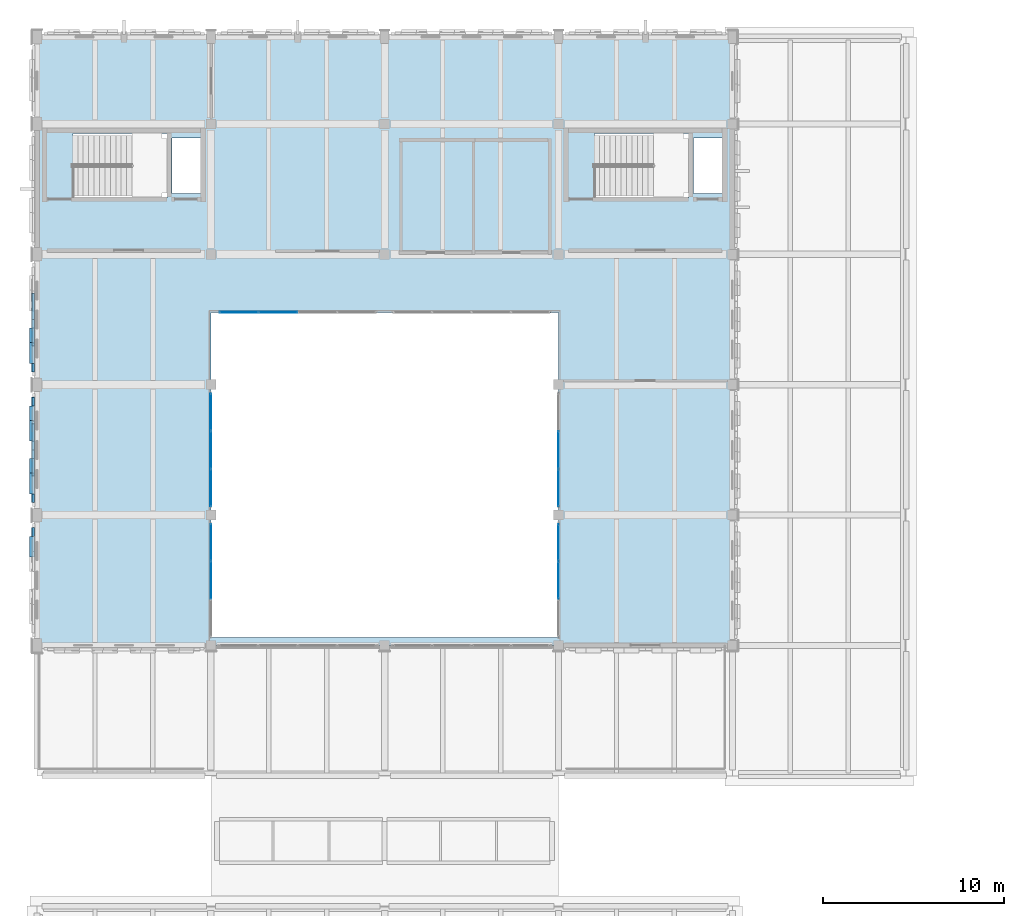
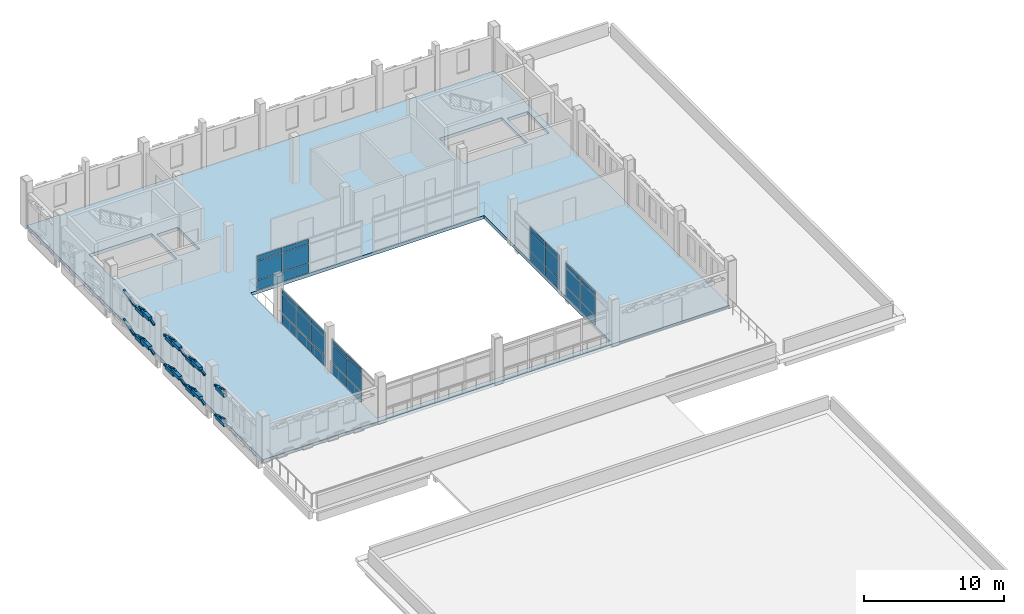
# One storey, part 29 of 50: 63 plates, 1 slab, 5 elements without a shape of their own.
"""IFC4 building model written with IfcOpenShell, lengths in metres."""

from ifc_helpers import new_model, si_unit, direction, frame, origin, origin_2d, place, context, subcontext, project, spatial, polyline, rectangle, hollow_rectangle, outline, extrude, material, layer, layer_set, material_profile, profile_set, type_object, element, aggregate, save


model = new_model("IFC4")

# Units and contexts
model_context = context("Model", 3, precision=1e-05, world=origin(), true_north=direction((0.0, 1.0)))
body_context = subcontext(model_context, "Body", "Model", "MODEL_VIEW")
ifc_project = project(units=[si_unit("LENGTHUNIT", "METRE"), si_unit("AREAUNIT", "SQUARE_METRE"), si_unit("VOLUMEUNIT", "CUBIC_METRE"), si_unit("PLANEANGLEUNIT", "RADIAN"), si_unit("MASSUNIT", "GRAM", prefix="KILO")], contexts=[model_context])

# Site, building, storey
site_placement = place(None, origin())
site = spatial("IfcSite", under=ifc_project, at=site_placement, CompositionType="ELEMENT")
building_placement = place(site_placement, origin())
building = spatial("IfcBuilding", under=site, at=building_placement, Name="Asteropetra Specialist Clinic", CompositionType="ELEMENT")
storey_placement = place(building_placement, frame((0.0, 0.0, 16.659912109375)))
storey = spatial("IfcBuildingStorey", under=building, at=storey_placement, Name="L04", CompositionType="ELEMENT", Elevation=16.659912109375)

# Plates
ifc_material_1 = material(Name="Chevron emerald aluminium 6063-T6", Category="aluminium")
ifc_material_profile = material_profile(ifc_material_1, hollow_rectangle(XDim=0.159912109375, YDim=0.159912109375, WallThickness=0.008056640625, InnerFilletRadius=0.008056640625, OuterFilletRadius=0.01611328125, at=origin_2d()), Name="SHS 160x160x8.0")
ifc_profile_set = profile_set([ifc_material_profile], Name="Chevron emerald aluminium 6063-T6")
plate_type_1 = type_object("IfcPlateType", Name="CHV-RIB-160", PredefinedType="SHEET", material=ifc_profile_set)
plate_1_placement = place(storey_placement, frame((-0.217041015625, 83.284912109375, 0.050048828125), z_axis=(0.0, -0.952491984317, 0.304563654777), x_axis=(1.0, 0.0, 0.0)))
element("IfcPlate", 1, at=plate_1_placement, inside=storey, type_object=plate_type_1, Name="Chevron Facade Screen Fin CVR-1549", PredefinedType="SHEET", context=body_context, shape_type="SweptSolid", body=[
    extrude(hollow_rectangle(XDim=0.159912109375, YDim=0.159912109375, WallThickness=0.008056640625, InnerFilletRadius=0.008056640625, OuterFilletRadius=0.01611328125, at=origin_2d()), origin(), (0.0, 0.0, 1.0), 1.50390625),
])
plate_2_placement = place(storey_placement, frame((-0.217041015625, 83.284912109375, 2.64013671875), z_axis=(0.0, -0.964892743856, 0.262644232476), x_axis=(1.0, 0.0, 0.0)))
element("IfcPlate", 2, at=plate_2_placement, inside=storey, type_object=plate_type_1, Name="Chevron Facade Screen Fin CVR-1551", PredefinedType="SHEET", context=body_context, shape_type="SweptSolid", body=[
    extrude(hollow_rectangle(XDim=0.159912109375, YDim=0.159912109375, WallThickness=0.008056640625, InnerFilletRadius=0.008056640625, OuterFilletRadius=0.01611328125, at=origin_2d()), origin(), (0.0, 0.0, 1.0), 1.484375),
])
plate_3_placement = place(storey_placement, frame((-0.217041015625, 90.485107421875, 0.050048828125), z_axis=(0.0, -0.952507040007, 0.304516565619), x_axis=(1.0, 0.0, 0.0)))
element("IfcPlate", 3, at=plate_3_placement, inside=storey, type_object=plate_type_1, Name="Chevron Facade Screen Fin CVR-1569", PredefinedType="SHEET", context=body_context, shape_type="SweptSolid", body=[
    extrude(hollow_rectangle(XDim=0.159912109375, YDim=0.159912109375, WallThickness=0.008056640625, InnerFilletRadius=0.008056640625, OuterFilletRadius=0.01611328125, at=origin_2d()), origin(), (0.0, 0.0, 1.0), 1.504150390625),
])
plate_4_placement = place(storey_placement, frame((-0.217041015625, 89.052490234375, 0.508056640625), z_axis=(0.0, -0.952491984317, -0.304563654777), x_axis=(1.0, 0.0, 0.0)))
element("IfcPlate", 4, at=plate_4_placement, inside=storey, type_object=plate_type_1, Name="Chevron Facade Screen Fin CVR-1570", PredefinedType="SHEET", context=body_context, shape_type="SweptSolid", body=[
    extrude(hollow_rectangle(XDim=0.159912109375, YDim=0.159912109375, WallThickness=0.008056640625, InnerFilletRadius=0.008056640625, OuterFilletRadius=0.01611328125, at=origin_2d()), origin(), (0.0, 0.0, 1.0), 1.50390625),
])
plate_5_placement = place(storey_placement, frame((-0.217041015625, 90.485107421875, 2.64013671875), z_axis=(0.0, -0.964904086005, 0.262602560557), x_axis=(1.0, 0.0, 0.0)))
element("IfcPlate", 5, at=plate_5_placement, inside=storey, type_object=plate_type_1, Name="Chevron Facade Screen Fin CVR-1571", PredefinedType="SHEET", context=body_context, shape_type="SweptSolid", body=[
    extrude(hollow_rectangle(XDim=0.159912109375, YDim=0.159912109375, WallThickness=0.008056640625, InnerFilletRadius=0.008056640625, OuterFilletRadius=0.01611328125, at=origin_2d()), origin(), (0.0, 0.0, 1.0), 1.484619140625),
])
plate_6_placement = place(storey_placement, frame((-0.217041015625, 89.052490234375, 3.030029296875), z_axis=(0.0, -0.964892743856, -0.262644232476), x_axis=(1.0, 0.0, 0.0)))
element("IfcPlate", 6, at=plate_6_placement, inside=storey, type_object=plate_type_1, Name="Chevron Facade Screen Fin CVR-1572", PredefinedType="SHEET", context=body_context, shape_type="SweptSolid", body=[
    extrude(hollow_rectangle(XDim=0.159912109375, YDim=0.159912109375, WallThickness=0.008056640625, InnerFilletRadius=0.008056640625, OuterFilletRadius=0.01611328125, at=origin_2d()), origin(), (0.0, 0.0, 1.0), 1.484375),
])
plate_7_placement = place(storey_placement, frame((-0.217041015625, 87.580078125, 0.050048828125), z_axis=(0.0, -0.952507040007, 0.304516565619), x_axis=(1.0, 0.0, 0.0)))
element("IfcPlate", 7, at=plate_7_placement, inside=storey, type_object=plate_type_1, Name="Chevron Facade Screen Fin CVR-1573", PredefinedType="SHEET", context=body_context, shape_type="SweptSolid", body=[
    extrude(hollow_rectangle(XDim=0.159912109375, YDim=0.159912109375, WallThickness=0.008056640625, InnerFilletRadius=0.008056640625, OuterFilletRadius=0.01611328125, at=origin_2d()), origin(), (0.0, 0.0, 1.0), 1.504150390625),
])
plate_8_placement = place(storey_placement, frame((-0.217041015625, 86.1474609375, 0.508056640625), z_axis=(0.0, -0.952491984317, -0.304563654777), x_axis=(1.0, 0.0, 0.0)))
element("IfcPlate", 8, at=plate_8_placement, inside=storey, type_object=plate_type_1, Name="Chevron Facade Screen Fin CVR-1574", PredefinedType="SHEET", context=body_context, shape_type="SweptSolid", body=[
    extrude(hollow_rectangle(XDim=0.159912109375, YDim=0.159912109375, WallThickness=0.008056640625, InnerFilletRadius=0.008056640625, OuterFilletRadius=0.01611328125, at=origin_2d()), origin(), (0.0, 0.0, 1.0), 1.50390625),
])
plate_9_placement = place(storey_placement, frame((-0.217041015625, 87.580078125, 2.64013671875), z_axis=(0.0, -0.964904086005, 0.262602560557), x_axis=(1.0, 0.0, 0.0)))
element("IfcPlate", 9, at=plate_9_placement, inside=storey, type_object=plate_type_1, Name="Chevron Facade Screen Fin CVR-1575", PredefinedType="SHEET", context=body_context, shape_type="SweptSolid", body=[
    extrude(hollow_rectangle(XDim=0.159912109375, YDim=0.159912109375, WallThickness=0.008056640625, InnerFilletRadius=0.008056640625, OuterFilletRadius=0.01611328125, at=origin_2d()), origin(), (0.0, 0.0, 1.0), 1.484619140625),
])
plate_10_placement = place(storey_placement, frame((-0.217041015625, 86.1474609375, 3.030029296875), z_axis=(0.0, -0.964892743856, -0.262644232476), x_axis=(1.0, 0.0, 0.0)))
element("IfcPlate", 10, at=plate_10_placement, inside=storey, type_object=plate_type_1, Name="Chevron Facade Screen Fin CVR-1576", PredefinedType="SHEET", context=body_context, shape_type="SweptSolid", body=[
    extrude(hollow_rectangle(XDim=0.159912109375, YDim=0.159912109375, WallThickness=0.008056640625, InnerFilletRadius=0.008056640625, OuterFilletRadius=0.01611328125, at=origin_2d()), origin(), (0.0, 0.0, 1.0), 1.484375),
])
plate_11_placement = place(storey_placement, frame((-0.217041015625, 96.25244140625, 0.508056640625), z_axis=(0.0, -0.952491984317, -0.304563654777), x_axis=(1.0, 0.0, 0.0)))
element("IfcPlate", 11, at=plate_11_placement, inside=storey, type_object=plate_type_1, Name="Chevron Facade Screen Fin CVR-1590", PredefinedType="SHEET", context=body_context, shape_type="SweptSolid", body=[
    extrude(hollow_rectangle(XDim=0.159912109375, YDim=0.159912109375, WallThickness=0.008056640625, InnerFilletRadius=0.008056640625, OuterFilletRadius=0.01611328125, at=origin_2d()), origin(), (0.0, 0.0, 1.0), 1.50390625),
])
plate_12_placement = place(storey_placement, frame((-0.217041015625, 96.25244140625, 3.030029296875), z_axis=(0.0, -0.964892743856, -0.262644232476), x_axis=(1.0, 0.0, 0.0)))
element("IfcPlate", 12, at=plate_12_placement, inside=storey, type_object=plate_type_1, Name="Chevron Facade Screen Fin CVR-1592", PredefinedType="SHEET", context=body_context, shape_type="SweptSolid", body=[
    extrude(hollow_rectangle(XDim=0.159912109375, YDim=0.159912109375, WallThickness=0.008056640625, InnerFilletRadius=0.008056640625, OuterFilletRadius=0.01611328125, at=origin_2d()), origin(), (0.0, 0.0, 1.0), 1.484375),
])
plate_13_placement = place(storey_placement, frame((-0.217041015625, 94.780029296875, 0.050048828125), z_axis=(0.0, -0.952507040007, 0.304516565619), x_axis=(1.0, 0.0, 0.0)))
element("IfcPlate", 13, at=plate_13_placement, inside=storey, type_object=plate_type_1, Name="Chevron Facade Screen Fin CVR-1593", PredefinedType="SHEET", context=body_context, shape_type="SweptSolid", body=[
    extrude(hollow_rectangle(XDim=0.159912109375, YDim=0.159912109375, WallThickness=0.008056640625, InnerFilletRadius=0.008056640625, OuterFilletRadius=0.01611328125, at=origin_2d()), origin(), (0.0, 0.0, 1.0), 1.504150390625),
])
plate_14_placement = place(storey_placement, frame((-0.217041015625, 93.347412109375, 0.508056640625), z_axis=(0.0, -0.952491984317, -0.304563654777), x_axis=(1.0, 0.0, 0.0)))
element("IfcPlate", 14, at=plate_14_placement, inside=storey, type_object=plate_type_1, Name="Chevron Facade Screen Fin CVR-1594", PredefinedType="SHEET", context=body_context, shape_type="SweptSolid", body=[
    extrude(hollow_rectangle(XDim=0.159912109375, YDim=0.159912109375, WallThickness=0.008056640625, InnerFilletRadius=0.008056640625, OuterFilletRadius=0.01611328125, at=origin_2d()), origin(), (0.0, 0.0, 1.0), 1.50390625),
])
plate_15_placement = place(storey_placement, frame((-0.217041015625, 94.780029296875, 2.64013671875), z_axis=(0.0, -0.964904086005, 0.262602560557), x_axis=(1.0, 0.0, 0.0)))
element("IfcPlate", 15, at=plate_15_placement, inside=storey, type_object=plate_type_1, Name="Chevron Facade Screen Fin CVR-1595", PredefinedType="SHEET", context=body_context, shape_type="SweptSolid", body=[
    extrude(hollow_rectangle(XDim=0.159912109375, YDim=0.159912109375, WallThickness=0.008056640625, InnerFilletRadius=0.008056640625, OuterFilletRadius=0.01611328125, at=origin_2d()), origin(), (0.0, 0.0, 1.0), 1.484619140625),
])
plate_16_placement = place(storey_placement, frame((-0.217041015625, 93.347412109375, 3.030029296875), z_axis=(0.0, -0.964892743856, -0.262644232476), x_axis=(1.0, 0.0, 0.0)))
element("IfcPlate", 16, at=plate_16_placement, inside=storey, type_object=plate_type_1, Name="Chevron Facade Screen Fin CVR-1596", PredefinedType="SHEET", context=body_context, shape_type="SweptSolid", body=[
    extrude(hollow_rectangle(XDim=0.159912109375, YDim=0.159912109375, WallThickness=0.008056640625, InnerFilletRadius=0.008056640625, OuterFilletRadius=0.01611328125, at=origin_2d()), origin(), (0.0, 0.0, 1.0), 1.484375),
])

# Curtain wall, plates
ifc_material_2 = material(Name="Aluminium and low-E glass", Category="aluminium")
ifc_layer_1 = layer(ifc_material_2, 0.135009765625)
ifc_layer_set_1 = layer_set([ifc_layer_1], Name="Aluminium and low-E glass")
curtain_wall_type_1 = type_object("IfcCurtainWallType", Name="CW-SYS-06", PredefinedType="USERDEFINED", material=ifc_layer_set_1)
curtain_wall_1_placement = place(storey_placement, origin())
curtain_wall_1 = element("IfcCurtainWall", 17, at=curtain_wall_1_placement, inside=storey, type_object=curtain_wall_type_1, Name="Curtain Wall CW-056", ObjectType="UNITISED CURTAIN WALL", PredefinedType="USERDEFINED")
ifc_material_3 = material(Name="Low-E double glazing", Category="glass")
ifc_layer_2 = layer(ifc_material_3, 0.028076171875)
ifc_layer_set_2 = layer_set([ifc_layer_2], Name="Low-E double glazing")
plate_type_2 = type_object("IfcPlateType", Name="CWP-GLZ-28", PredefinedType="CURTAIN_PANEL", material=ifc_layer_set_2)
plate_17_placement = place(storey_placement, frame((28.800048828125, 85.5048828125, 0.06005859375), z_axis=(0.0, 0.0, 1.0), x_axis=(0.0, 1.0, 0.0)))
plate_17 = element("IfcPlate", 18, at=plate_17_placement, type_object=plate_type_2, Name="CW-056 panel 1.1", PredefinedType="CURTAIN_PANEL", context=body_context, shape_type="SweptSolid", body=[
    extrude(rectangle(XDim=2.02001953125, YDim=0.028076171875, at=origin_2d()), origin(), (0.0, 0.0, 1.0), 0.81005859375),
])
plate_18_placement = place(storey_placement, frame((28.800048828125, 85.5048828125, 0.929931640625), z_axis=(0.0, 0.0, 1.0), x_axis=(0.0, 1.0, 0.0)))
plate_18 = element("IfcPlate", 19, at=plate_18_placement, type_object=plate_type_2, Name="CW-056 panel 1.2", PredefinedType="CURTAIN_PANEL", context=body_context, shape_type="SweptSolid", body=[
    extrude(rectangle(XDim=2.02001953125, YDim=0.028076171875, at=origin_2d()), origin(), (0.0, 0.0, 1.0), 1.6201171875),
])
plate_19_placement = place(storey_placement, frame((28.800048828125, 85.5048828125, 2.6103515625), z_axis=(0.0, 0.0, 1.0), x_axis=(0.0, 1.0, 0.0)))
plate_19 = element("IfcPlate", 20, at=plate_19_placement, type_object=plate_type_2, Name="CW-056 panel 1.3", PredefinedType="CURTAIN_PANEL", context=body_context, shape_type="SweptSolid", body=[
    extrude(rectangle(XDim=2.02001953125, YDim=0.028076171875, at=origin_2d()), origin(), (0.0, 0.0, 1.0), 0.409912109375),
])
plate_20_placement = place(storey_placement, frame((28.800048828125, 87.60009765625, 0.06005859375), z_axis=(0.0, 0.0, 1.0), x_axis=(0.0, 1.0, 0.0)))
plate_20 = element("IfcPlate", 21, at=plate_20_placement, type_object=plate_type_2, Name="CW-056 panel 2.1", PredefinedType="CURTAIN_PANEL", context=body_context, shape_type="SweptSolid", body=[
    extrude(rectangle(XDim=2.050048828125, YDim=0.028076171875, at=origin_2d()), origin(), (0.0, 0.0, 1.0), 0.81005859375),
])
plate_21_placement = place(storey_placement, frame((28.800048828125, 87.60009765625, 0.929931640625), z_axis=(0.0, 0.0, 1.0), x_axis=(0.0, 1.0, 0.0)))
plate_21 = element("IfcPlate", 22, at=plate_21_placement, type_object=plate_type_2, Name="CW-056 panel 2.2", PredefinedType="CURTAIN_PANEL", context=body_context, shape_type="SweptSolid", body=[
    extrude(rectangle(XDim=2.050048828125, YDim=0.028076171875, at=origin_2d()), origin(), (0.0, 0.0, 1.0), 1.6201171875),
])
plate_22_placement = place(storey_placement, frame((28.800048828125, 87.60009765625, 2.6103515625), z_axis=(0.0, 0.0, 1.0), x_axis=(0.0, 1.0, 0.0)))
plate_22 = element("IfcPlate", 23, at=plate_22_placement, type_object=plate_type_2, Name="CW-056 panel 2.3", PredefinedType="CURTAIN_PANEL", context=body_context, shape_type="SweptSolid", body=[
    extrude(rectangle(XDim=2.050048828125, YDim=0.028076171875, at=origin_2d()), origin(), (0.0, 0.0, 1.0), 0.409912109375),
])
aggregate(curtain_wall_1, [plate_17, plate_18, plate_19, plate_20, plate_21, plate_22])

ifc_material_4 = material(Name="Aluminium and low-E glass", Category="aluminium")
ifc_layer_3 = layer(ifc_material_4, 0.179931640625)
ifc_layer_set_3 = layer_set([ifc_layer_3], Name="Aluminium and low-E glass")
curtain_wall_type_2 = type_object("IfcCurtainWallType", Name="CW-SYS-04", PredefinedType="USERDEFINED", material=ifc_layer_set_3)
curtain_wall_2_placement = place(storey_placement, origin())
curtain_wall_2 = element("IfcCurtainWall", 24, at=curtain_wall_2_placement, inside=storey, type_object=curtain_wall_type_2, Name="Curtain Wall CW-053", ObjectType="UNITISED CURTAIN WALL", PredefinedType="USERDEFINED")
ifc_material_5 = material(Name="Low-E acoustic double glazing", Category="glass")
ifc_layer_4 = layer(ifc_material_5, 0.031982421875)
ifc_layer_set_4 = layer_set([ifc_layer_4], Name="Low-E acoustic double glazing")
plate_type_3 = type_object("IfcPlateType", Name="CWP-GLZ-32", PredefinedType="CURTAIN_PANEL", material=ifc_layer_set_4)
plate_23_placement = place(storey_placement, frame((9.60009765625, 82.4951171875, 0.06005859375), z_axis=(0.0, 0.0, 1.0), x_axis=(0.0, -1.0, 0.0)))
plate_23 = element("IfcPlate", 25, at=plate_23_placement, type_object=plate_type_3, Name="CW-053 panel 1.1", PredefinedType="CURTAIN_PANEL", context=body_context, shape_type="SweptSolid", body=[
    extrude(rectangle(XDim=2.02001953125, YDim=0.031982421875, at=origin_2d()), origin(), (0.0, 0.0, 1.0), 0.81005859375),
])
plate_24_placement = place(storey_placement, frame((9.60009765625, 82.4951171875, 0.929931640625), z_axis=(0.0, 0.0, 1.0), x_axis=(0.0, -1.0, 0.0)))
plate_24 = element("IfcPlate", 26, at=plate_24_placement, type_object=plate_type_3, Name="CW-053 panel 1.2", PredefinedType="CURTAIN_PANEL", context=body_context, shape_type="SweptSolid", body=[
    extrude(rectangle(XDim=2.02001953125, YDim=0.031982421875, at=origin_2d()), origin(), (0.0, 0.0, 1.0), 1.6201171875),
])
plate_25_placement = place(storey_placement, frame((9.60009765625, 82.4951171875, 2.6103515625), z_axis=(0.0, 0.0, 1.0), x_axis=(0.0, -1.0, 0.0)))
plate_25 = element("IfcPlate", 27, at=plate_25_placement, type_object=plate_type_3, Name="CW-053 panel 1.3", PredefinedType="CURTAIN_PANEL", context=body_context, shape_type="SweptSolid", body=[
    extrude(rectangle(XDim=2.02001953125, YDim=0.031982421875, at=origin_2d()), origin(), (0.0, 0.0, 1.0), 0.409912109375),
])
plate_26_placement = place(storey_placement, frame((9.60009765625, 80.39990234375, 0.06005859375), z_axis=(0.0, 0.0, 1.0), x_axis=(0.0, -1.0, 0.0)))
plate_26 = element("IfcPlate", 28, at=plate_26_placement, type_object=plate_type_3, Name="CW-053 panel 2.1", PredefinedType="CURTAIN_PANEL", context=body_context, shape_type="SweptSolid", body=[
    extrude(rectangle(XDim=2.050048828125, YDim=0.031982421875, at=origin_2d()), origin(), (0.0, 0.0, 1.0), 0.81005859375),
])
plate_27_placement = place(storey_placement, frame((9.60009765625, 80.39990234375, 0.929931640625), z_axis=(0.0, 0.0, 1.0), x_axis=(0.0, -1.0, 0.0)))
plate_27 = element("IfcPlate", 29, at=plate_27_placement, type_object=plate_type_3, Name="CW-053 panel 2.2", PredefinedType="CURTAIN_PANEL", context=body_context, shape_type="SweptSolid", body=[
    extrude(rectangle(XDim=2.050048828125, YDim=0.031982421875, at=origin_2d()), origin(), (0.0, 0.0, 1.0), 1.6201171875),
])
plate_28_placement = place(storey_placement, frame((9.60009765625, 80.39990234375, 2.6103515625), z_axis=(0.0, 0.0, 1.0), x_axis=(0.0, -1.0, 0.0)))
plate_28 = element("IfcPlate", 30, at=plate_28_placement, type_object=plate_type_3, Name="CW-053 panel 2.3", PredefinedType="CURTAIN_PANEL", context=body_context, shape_type="SweptSolid", body=[
    extrude(rectangle(XDim=2.050048828125, YDim=0.031982421875, at=origin_2d()), origin(), (0.0, 0.0, 1.0), 0.409912109375),
])
aggregate(curtain_wall_2, [plate_23, plate_24, plate_25, plate_26, plate_27, plate_28])

ifc_material_6 = material(Name="Aluminium and low-E glass", Category="aluminium")
ifc_layer_5 = layer(ifc_material_6, 0.135009765625)
ifc_layer_set_5 = layer_set([ifc_layer_5], Name="Aluminium and low-E glass")
curtain_wall_type_3 = type_object("IfcCurtainWallType", Name="CW-SYS-03", PredefinedType="USERDEFINED", material=ifc_layer_set_5)
curtain_wall_3_placement = place(storey_placement, origin())
curtain_wall_3 = element("IfcCurtainWall", 31, at=curtain_wall_3_placement, inside=storey, type_object=curtain_wall_type_3, Name="Curtain Wall CW-050", ObjectType="UNITISED CURTAIN WALL", PredefinedType="USERDEFINED")
ifc_material_7 = material(Name="Solar-control triple glazing", Category="glass")
ifc_layer_6 = layer(ifc_material_7, 0.035888671875)
ifc_layer_set_6 = layer_set([ifc_layer_6], Name="Solar-control triple glazing")
plate_type_4 = type_object("IfcPlateType", Name="CWP-GLZ-36", PredefinedType="CURTAIN_PANEL", material=ifc_layer_set_6)
plate_29_placement = place(storey_placement, frame((13.31005859375, 95.199951171875, 0.06005859375), z_axis=(0.0, 0.0, 1.0), x_axis=(-1.0, 0.0, 0.0)))
plate_29 = element("IfcPlate", 32, at=plate_29_placement, type_object=plate_type_4, Name="CW-050 panel 3.1", PredefinedType="CURTAIN_PANEL", context=body_context, shape_type="SweptSolid", body=[
    extrude(rectangle(XDim=2.1201171875, YDim=0.035888671875, at=origin_2d()), origin(), (0.0, 0.0, 1.0), 0.81005859375),
])
plate_30_placement = place(storey_placement, frame((13.31005859375, 95.199951171875, 0.929931640625), z_axis=(0.0, 0.0, 1.0), x_axis=(-1.0, 0.0, 0.0)))
plate_30 = element("IfcPlate", 33, at=plate_30_placement, type_object=plate_type_4, Name="CW-050 panel 3.2", PredefinedType="CURTAIN_PANEL", context=body_context, shape_type="SweptSolid", body=[
    extrude(rectangle(XDim=2.1201171875, YDim=0.035888671875, at=origin_2d()), origin(), (0.0, 0.0, 1.0), 1.6201171875),
])
plate_31_placement = place(storey_placement, frame((13.31005859375, 95.199951171875, 2.6103515625), z_axis=(0.0, 0.0, 1.0), x_axis=(-1.0, 0.0, 0.0)))
plate_31 = element("IfcPlate", 34, at=plate_31_placement, type_object=plate_type_4, Name="CW-050 panel 3.3", PredefinedType="CURTAIN_PANEL", context=body_context, shape_type="SweptSolid", body=[
    extrude(rectangle(XDim=2.1201171875, YDim=0.035888671875, at=origin_2d()), origin(), (0.0, 0.0, 1.0), 0.409912109375),
])
plate_32_placement = place(storey_placement, frame((11.14501953125, 95.199951171875, 0.06005859375), z_axis=(0.0, 0.0, 1.0), x_axis=(-1.0, 0.0, 0.0)))
plate_32 = element("IfcPlate", 35, at=plate_32_placement, type_object=plate_type_4, Name="CW-050 panel 4.1", PredefinedType="CURTAIN_PANEL", context=body_context, shape_type="SweptSolid", body=[
    extrude(rectangle(XDim=2.090087890625, YDim=0.035888671875, at=origin_2d()), origin(), (0.0, 0.0, 1.0), 0.81005859375),
])
plate_33_placement = place(storey_placement, frame((11.14501953125, 95.199951171875, 0.929931640625), z_axis=(0.0, 0.0, 1.0), x_axis=(-1.0, 0.0, 0.0)))
plate_33 = element("IfcPlate", 36, at=plate_33_placement, type_object=plate_type_4, Name="CW-050 panel 4.2", PredefinedType="CURTAIN_PANEL", context=body_context, shape_type="SweptSolid", body=[
    extrude(rectangle(XDim=2.090087890625, YDim=0.035888671875, at=origin_2d()), origin(), (0.0, 0.0, 1.0), 1.6201171875),
])
plate_34_placement = place(storey_placement, frame((11.14501953125, 95.199951171875, 2.6103515625), z_axis=(0.0, 0.0, 1.0), x_axis=(-1.0, 0.0, 0.0)))
plate_34 = element("IfcPlate", 37, at=plate_34_placement, type_object=plate_type_4, Name="CW-050 panel 4.3", PredefinedType="CURTAIN_PANEL", context=body_context, shape_type="SweptSolid", body=[
    extrude(rectangle(XDim=2.090087890625, YDim=0.035888671875, at=origin_2d()), origin(), (0.0, 0.0, 1.0), 0.409912109375),
])
aggregate(curtain_wall_3, [plate_29, plate_30, plate_31, plate_32, plate_33, plate_34])

ifc_material_8 = material(Name="Aluminium and low-E glass", Category="aluminium")
ifc_layer_7 = layer(ifc_material_8, 0.14990234375)
ifc_layer_set_7 = layer_set([ifc_layer_7], Name="Aluminium and low-E glass")
curtain_wall_type_4 = type_object("IfcCurtainWallType", Name="CW-SYS-05", PredefinedType="USERDEFINED", material=ifc_layer_set_7)
curtain_wall_4_placement = place(storey_placement, origin())
curtain_wall_4 = element("IfcCurtainWall", 38, at=curtain_wall_4_placement, inside=storey, type_object=curtain_wall_type_4, Name="Curtain Wall CW-054", ObjectType="UNITISED CURTAIN WALL", PredefinedType="USERDEFINED")
plate_35_placement = place(storey_placement, frame((28.800048828125, 80.39990234375, 0.074951171875), z_axis=(0.0, 0.0, 1.0), x_axis=(0.0, 1.0, 0.0)))
plate_35 = element("IfcPlate", 39, at=plate_35_placement, type_object=plate_type_4, Name="CW-054 panel 2.1", PredefinedType="CURTAIN_PANEL", context=body_context, shape_type="SweptSolid", body=[
    extrude(rectangle(XDim=2.034912109375, YDim=0.035888671875, at=origin_2d()), origin(), (0.0, 0.0, 1.0), 0.78759765625),
])
plate_36_placement = place(storey_placement, frame((28.800048828125, 80.39990234375, 0.9375), z_axis=(0.0, 0.0, 1.0), x_axis=(0.0, 1.0, 0.0)))
plate_36 = element("IfcPlate", 40, at=plate_36_placement, type_object=plate_type_4, Name="CW-054 panel 2.2", PredefinedType="CURTAIN_PANEL", context=body_context, shape_type="SweptSolid", body=[
    extrude(rectangle(XDim=2.034912109375, YDim=0.035888671875, at=origin_2d()), origin(), (0.0, 0.0, 1.0), 1.60498046875),
])
plate_37_placement = place(storey_placement, frame((28.800048828125, 80.39990234375, 2.61767578125), z_axis=(0.0, 0.0, 1.0), x_axis=(0.0, 1.0, 0.0)))
plate_37 = element("IfcPlate", 41, at=plate_37_placement, type_object=plate_type_4, Name="CW-054 panel 2.3", PredefinedType="CURTAIN_PANEL", context=body_context, shape_type="SweptSolid", body=[
    extrude(rectangle(XDim=2.034912109375, YDim=0.035888671875, at=origin_2d()), origin(), (0.0, 0.0, 1.0), 0.387451171875),
])
plate_38_placement = place(storey_placement, frame((28.800048828125, 82.4912109375, 0.074951171875), z_axis=(0.0, 0.0, 1.0), x_axis=(0.0, 1.0, 0.0)))
plate_38 = element("IfcPlate", 42, at=plate_38_placement, type_object=plate_type_4, Name="CW-054 panel 3.1", PredefinedType="CURTAIN_PANEL", context=body_context, shape_type="SweptSolid", body=[
    extrude(rectangle(XDim=1.99755859375, YDim=0.035888671875, at=origin_2d()), origin(), (0.0, 0.0, 1.0), 0.78759765625),
])
plate_39_placement = place(storey_placement, frame((28.800048828125, 82.4912109375, 0.9375), z_axis=(0.0, 0.0, 1.0), x_axis=(0.0, 1.0, 0.0)))
plate_39 = element("IfcPlate", 43, at=plate_39_placement, type_object=plate_type_4, Name="CW-054 panel 3.2", PredefinedType="CURTAIN_PANEL", context=body_context, shape_type="SweptSolid", body=[
    extrude(rectangle(XDim=1.99755859375, YDim=0.035888671875, at=origin_2d()), origin(), (0.0, 0.0, 1.0), 1.60498046875),
])
plate_40_placement = place(storey_placement, frame((28.800048828125, 82.4912109375, 2.61767578125), z_axis=(0.0, 0.0, 1.0), x_axis=(0.0, 1.0, 0.0)))
plate_40 = element("IfcPlate", 44, at=plate_40_placement, type_object=plate_type_4, Name="CW-054 panel 3.3", PredefinedType="CURTAIN_PANEL", context=body_context, shape_type="SweptSolid", body=[
    extrude(rectangle(XDim=1.99755859375, YDim=0.035888671875, at=origin_2d()), origin(), (0.0, 0.0, 1.0), 0.387451171875),
])
aggregate(curtain_wall_4, [plate_35, plate_36, plate_37, plate_38, plate_39, plate_40])

curtain_wall_5_placement = place(storey_placement, origin())
curtain_wall_5 = element("IfcCurtainWall", 45, at=curtain_wall_5_placement, inside=storey, type_object=curtain_wall_type_4, Name="Curtain Wall CW-055", ObjectType="UNITISED CURTAIN WALL", PredefinedType="USERDEFINED")
ifc_material_9 = material(Name="Laminated skylight glazing", Category="glass")
ifc_layer_8 = layer(ifc_material_9, 0.0400390625)
ifc_layer_set_8 = layer_set([ifc_layer_8], Name="Laminated skylight glazing")
plate_type_5 = type_object("IfcPlateType", Name="CWP-GLZ-40", PredefinedType="CURTAIN_PANEL", material=ifc_layer_set_8)
plate_41_placement = place(storey_placement, frame((9.60009765625, 89.69384765625, 0.06494140625), z_axis=(0.0, 0.0, 1.0), x_axis=(0.0, -1.0, 0.0)))
plate_41 = element("IfcPlate", 46, at=plate_41_placement, type_object=plate_type_5, Name="CW-055 panel 1.1", PredefinedType="CURTAIN_PANEL", context=body_context, shape_type="SweptSolid", body=[
    extrude(rectangle(XDim=2.012451171875, YDim=0.0400390625, at=origin_2d()), origin(), (0.0, 0.0, 1.0), 0.802490234375),
])
plate_42_placement = place(storey_placement, frame((9.60009765625, 89.69384765625, 0.9326171875), z_axis=(0.0, 0.0, 1.0), x_axis=(0.0, -1.0, 0.0)))
plate_42 = element("IfcPlate", 47, at=plate_42_placement, type_object=plate_type_5, Name="CW-055 panel 1.2", PredefinedType="CURTAIN_PANEL", context=body_context, shape_type="SweptSolid", body=[
    extrude(rectangle(XDim=2.012451171875, YDim=0.0400390625, at=origin_2d()), origin(), (0.0, 0.0, 1.0), 1.614990234375),
])
plate_43_placement = place(storey_placement, frame((9.60009765625, 89.69384765625, 2.6123046875), z_axis=(0.0, 0.0, 1.0), x_axis=(0.0, -1.0, 0.0)))
plate_43 = element("IfcPlate", 48, at=plate_43_placement, type_object=plate_type_5, Name="CW-055 panel 1.3", PredefinedType="CURTAIN_PANEL", context=body_context, shape_type="SweptSolid", body=[
    extrude(rectangle(XDim=2.012451171875, YDim=0.0400390625, at=origin_2d()), origin(), (0.0, 0.0, 1.0), 0.402587890625),
])
plate_44_placement = place(storey_placement, frame((9.60009765625, 87.60009765625, 0.06494140625), z_axis=(0.0, 0.0, 1.0), x_axis=(0.0, -1.0, 0.0)))
plate_44 = element("IfcPlate", 49, at=plate_44_placement, type_object=plate_type_5, Name="CW-055 panel 2.1", PredefinedType="CURTAIN_PANEL", context=body_context, shape_type="SweptSolid", body=[
    extrude(rectangle(XDim=2.044921875, YDim=0.0400390625, at=origin_2d()), origin(), (0.0, 0.0, 1.0), 0.802490234375),
])
plate_45_placement = place(storey_placement, frame((9.60009765625, 87.60009765625, 0.9326171875), z_axis=(0.0, 0.0, 1.0), x_axis=(0.0, -1.0, 0.0)))
plate_45 = element("IfcPlate", 50, at=plate_45_placement, type_object=plate_type_5, Name="CW-055 panel 2.2", PredefinedType="CURTAIN_PANEL", context=body_context, shape_type="SweptSolid", body=[
    extrude(rectangle(XDim=2.044921875, YDim=0.0400390625, at=origin_2d()), origin(), (0.0, 0.0, 1.0), 1.614990234375),
])
plate_46_placement = place(storey_placement, frame((9.60009765625, 87.60009765625, 2.6123046875), z_axis=(0.0, 0.0, 1.0), x_axis=(0.0, -1.0, 0.0)))
plate_46 = element("IfcPlate", 51, at=plate_46_placement, type_object=plate_type_5, Name="CW-055 panel 2.3", PredefinedType="CURTAIN_PANEL", context=body_context, shape_type="SweptSolid", body=[
    extrude(rectangle(XDim=2.044921875, YDim=0.0400390625, at=origin_2d()), origin(), (0.0, 0.0, 1.0), 0.402587890625),
])
plate_47_placement = place(storey_placement, frame((9.60009765625, 85.50634765625, 0.06494140625), z_axis=(0.0, 0.0, 1.0), x_axis=(0.0, -1.0, 0.0)))
plate_47 = element("IfcPlate", 52, at=plate_47_placement, type_object=plate_type_5, Name="CW-055 panel 3.1", PredefinedType="CURTAIN_PANEL", context=body_context, shape_type="SweptSolid", body=[
    extrude(rectangle(XDim=2.012451171875, YDim=0.0400390625, at=origin_2d()), origin(), (0.0, 0.0, 1.0), 0.802490234375),
])
plate_48_placement = place(storey_placement, frame((9.60009765625, 85.50634765625, 0.9326171875), z_axis=(0.0, 0.0, 1.0), x_axis=(0.0, -1.0, 0.0)))
plate_48 = element("IfcPlate", 53, at=plate_48_placement, type_object=plate_type_5, Name="CW-055 panel 3.2", PredefinedType="CURTAIN_PANEL", context=body_context, shape_type="SweptSolid", body=[
    extrude(rectangle(XDim=2.012451171875, YDim=0.0400390625, at=origin_2d()), origin(), (0.0, 0.0, 1.0), 1.614990234375),
])
plate_49_placement = place(storey_placement, frame((9.60009765625, 85.50634765625, 2.6123046875), z_axis=(0.0, 0.0, 1.0), x_axis=(0.0, -1.0, 0.0)))
plate_49 = element("IfcPlate", 54, at=plate_49_placement, type_object=plate_type_5, Name="CW-055 panel 3.3", PredefinedType="CURTAIN_PANEL", context=body_context, shape_type="SweptSolid", body=[
    extrude(rectangle(XDim=2.012451171875, YDim=0.0400390625, at=origin_2d()), origin(), (0.0, 0.0, 1.0), 0.402587890625),
])
aggregate(curtain_wall_5, [plate_41, plate_42, plate_43, plate_44, plate_45, plate_46, plate_47, plate_48, plate_49])

# Plates
ifc_material_10 = material(Name="Aluminium 6063-T6", Category="aluminium")
ifc_layer_9 = layer(ifc_material_10, 0.139892578125)
ifc_layer_set_9 = layer_set([ifc_layer_9], Name="Aluminium 6063-T6")
plate_type_6 = type_object("IfcPlateType", Name="PLT-CHV-TILE", PredefinedType="SHEET", material=ifc_layer_set_9)
for number, where, z_axis, x_axis, name in (
    (55, (-0.27490234375, 82.253662109375, 0.03759765625), (0.0, 0.0, 1.0), (1.0, 0.0, 0.0), "Chevron Ceramic Panel CPT-1255"),
    (56, (-0.27490234375, 82.253662109375, 2.60693359375), (0.0, 0.0, 1.0), (1.0, 0.0, 0.0), "Chevron Ceramic Panel CPT-1257"),
    (57, (-0.27490234375, 89.45361328125, 0.03759765625), (0.0, 0.0, 1.0), (1.0, 0.0, 0.0), "Chevron Ceramic Panel CPT-1275"),
    (58, (-0.27490234375, 88.6513671875, 0.21142578125), (0.0, 0.0, 1.0), (1.0, 0.0, 0.0), "Chevron Ceramic Panel CPT-1276"),
    (59, (-0.27490234375, 89.45361328125, 2.60693359375), (0.0, 0.0, 1.0), (1.0, 0.0, 0.0), "Chevron Ceramic Panel CPT-1277"),
    (60, (-0.27490234375, 88.6513671875, 2.75537109375), (0.0, 0.0, 1.0), (1.0, 0.0, 0.0), "Chevron Ceramic Panel CPT-1278"),
    (61, (-0.27490234375, 86.548583984375, 0.03759765625), (0.0, 0.0, 1.0), (1.0, 0.0, 0.0), "Chevron Ceramic Panel CPT-1279"),
    (62, (-0.27490234375, 85.746337890625, 0.21142578125), (0.0, 0.0, 1.0), (1.0, 0.0, 0.0), "Chevron Ceramic Panel CPT-1280"),
    (63, (-0.27490234375, 86.548583984375, 2.60693359375), (0.0, 0.0, 1.0), (1.0, 0.0, 0.0), "Chevron Ceramic Panel CPT-1281"),
    (64, (-0.27490234375, 85.746337890625, 2.75537109375), (0.0, 0.0, 1.0), (1.0, 0.0, 0.0), "Chevron Ceramic Panel CPT-1282"),
    (65, (-0.27490234375, 93.74853515625, 0.03759765625), (0.0, 0.0, 1.0), (1.0, 0.0, 0.0), "Chevron Ceramic Panel CPT-1299"),
    (66, (-0.27490234375, 92.9462890625, 0.21142578125), (0.0, 0.0, 1.0), (1.0, 0.0, 0.0), "Chevron Ceramic Panel CPT-1300"),
    (67, (-0.27490234375, 93.74853515625, 2.60693359375), (0.0, 0.0, 1.0), (1.0, 0.0, 0.0), "Chevron Ceramic Panel CPT-1301"),
    (68, (-0.27490234375, 92.9462890625, 2.75537109375), (0.0, 0.0, 1.0), (1.0, 0.0, 0.0), "Chevron Ceramic Panel CPT-1302"),
):
    element("IfcPlate", number, at=place(storey_placement, frame(where, z_axis=z_axis, x_axis=x_axis)), inside=storey, type_object=plate_type_6, Name=name, PredefinedType="SHEET", context=body_context, shape_type="SweptSolid", body=[
        extrude(rectangle(XDim=0.280029296875, YDim=1.14599609375, at=origin_2d()), origin(), (0.0, 0.0, 1.0), 0.300048828125),
    ])

# Slab
ifc_material_11 = material(Name="Concrete C35/45", Category="concrete")
ifc_layer_10 = layer(ifc_material_11, 0.280029296875)
ifc_layer_set_10 = layer_set([ifc_layer_10], Name="Concrete C35/45")
slab_type = type_object("IfcSlabType", Name="SLB-FLR-280", PredefinedType="FLOOR", material=ifc_layer_set_10)
slab_placement = place(storey_placement, frame((0.0, 0.0, -0.280029296875)))
element("IfcSlab", 69, at=slab_placement, inside=storey, type_object=slab_type, Name="Slab V4 L04", PredefinedType="FLOOR", context=body_context, shape_type="SweptSolid", body=[
    extrude(outline(polyline([(0.0, 76.800048828125), (38.39990234375, 76.800048828125), (38.39990234375, 110.39990234375), (0.0, 110.39990234375), (0.0, 76.800048828125)]), holes=[polyline([(9.60009765625, 77.25), (28.800048828125, 77.25), (28.800048828125, 95.199951171875), (9.60009765625, 95.199951171875), (9.60009765625, 77.25)]), polyline([(2.0, 101.5), (7.179931640625, 101.5), (7.179931640625, 105.080078125), (2.0, 105.080078125), (2.0, 101.5)]), polyline([(7.449951171875, 101.75), (9.199951171875, 101.75), (9.199951171875, 104.830078125), (7.449951171875, 104.830078125), (7.449951171875, 101.75)]), polyline([(30.800048828125, 101.5), (35.97998046875, 101.5), (35.97998046875, 105.080078125), (30.800048828125, 105.080078125), (30.800048828125, 101.5)]), polyline([(36.25, 101.75), (37.949951171875, 101.75), (37.949951171875, 104.830078125), (36.25, 104.830078125), (36.25, 101.75)])]), origin(), (0.0, 0.0, 1.0), 0.280029296875),
])

save(model, "model.ifc")
